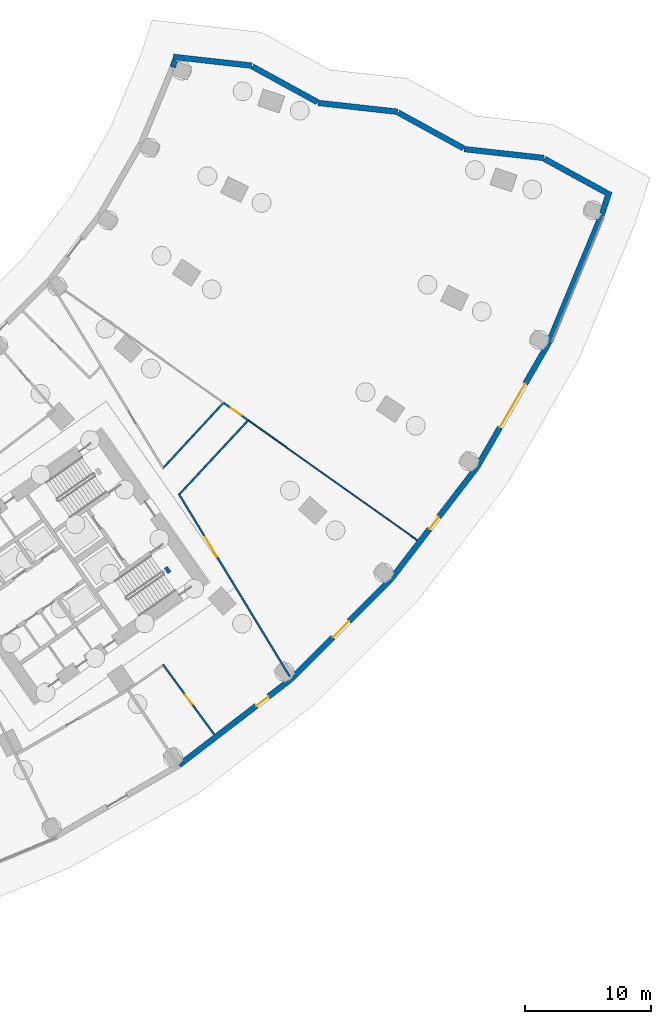
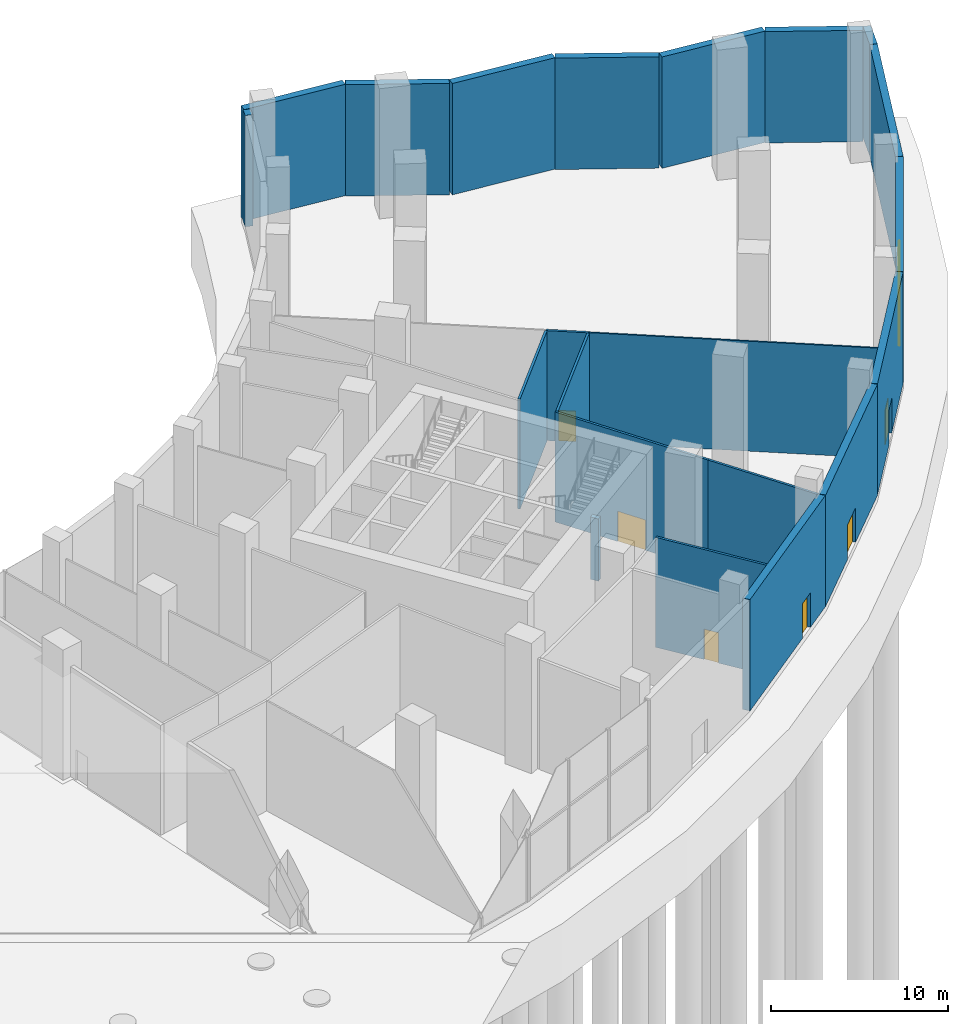
# One storey, part 12 of 23: 21 walls, 7 doors, 7 openings.
"""IFC4 building model written with IfcOpenShell, lengths in metres."""

from ifc_helpers import new_model, si_unit, direction, frame, frame_2d, origin, place, context, subcontext, project, spatial, rectangle, extrude, material, layer, layer_set, type_object, element, fill, save


model = new_model("IFC4")

# Units and contexts
model_context = context("Model", 3, precision=1e-05, world=origin(), true_north=direction((0.0, 1.0)))
body_context = subcontext(model_context, "Body", "Model", "MODEL_VIEW")
ifc_project = project(units=[si_unit("LENGTHUNIT", "METRE"), si_unit("AREAUNIT", "SQUARE_METRE"), si_unit("VOLUMEUNIT", "CUBIC_METRE"), si_unit("PLANEANGLEUNIT", "RADIAN"), si_unit("MASSUNIT", "GRAM", prefix="KILO")], contexts=[model_context])

# Site, building, storey
site_placement = place(None, origin())
site = spatial("IfcSite", under=ifc_project, at=site_placement, CompositionType="ELEMENT")
building_placement = place(site_placement, origin())
building = spatial("IfcBuilding", under=site, at=building_placement, Name="Qamariyya Broadcast Tower", CompositionType="ELEMENT")
storey_placement = place(building_placement, origin())
storey = spatial("IfcBuildingStorey", under=building, at=storey_placement, Name="L00", CompositionType="ELEMENT", Elevation=0.0)

# Wall
ifc_material_1 = material(Name="Gypsum board partition")
ifc_layer_1 = layer(ifc_material_1, 0.14990234375)
ifc_layer_set_1 = layer_set([ifc_layer_1], Name="Corridor partition 150 EI 60")
wall_type_1 = type_object("IfcWallType", Name="Corridor partition 150 EI 60", PredefinedType="PARTITIONING", material=ifc_layer_set_1)
wall_1_placement = place(storey_placement, frame((46.620361328125, -47.8359375, 0.0), z_axis=(0.0, 0.0, 1.0), x_axis=(0.679053871457, 0.734088441306, 0.0)))
element("IfcWall", 1, at=wall_1_placement, inside=storey, type_object=wall_type_1, Name="Partition L00-056", PredefinedType="PARTITIONING", context=body_context, shape_type="SweptSolid", body=[
    extrude(rectangle(XDim=6.916015625, YDim=0.14990234375, at=frame_2d((3.4580078125, 0.0))), origin(), (0.0, 0.0, 1.0), 7.60009765625),
])

# Wall, opening, door
wall_2_placement = place(storey_placement, frame((47.8076171875, -49.929443359375, 0.0), z_axis=(0.0, 0.0, 1.0), x_axis=(0.51915296508, -0.854681343454, 0.0)))
wall_2 = element("IfcWall", 2, at=wall_2_placement, inside=storey, type_object=wall_type_1, Name="Partition L00-057", PredefinedType="PARTITIONING", context=body_context, shape_type="SweptSolid", body=[
    extrude(rectangle(XDim=9.874755859375, YDim=0.14990234375, at=frame_2d((4.9375, 0.0))), origin(), (0.0, 0.0, 1.0), 7.60009765625),
])
opening_1_placement = place(wall_2_placement, frame((4.037353515625, 0.0, 0.0)))
opening_1 = element("IfcOpeningElement", 3, at=opening_1_placement, cuts=wall_2, Name="Opening L00-D22", PredefinedType="OPENING", context=body_context, shape_type="SweptSolid", body=[
    extrude(rectangle(XDim=1.800048828125, YDim=2.10009765625, at=frame_2d((0.89990234375, 1.050048828125))), frame((0.0, 0.0849609375, 0.0), z_axis=(0.0, -1.0, 0.0), x_axis=(1.0, 0.0, 0.0)), (0.0, 0.0, 1.0), 0.169921875),
])
ifc_material_2 = material(Name="Timber fire door leaf", Category="wood")
door_type_1 = type_object("IfcDoorType", Name="Double fire door 1800 x 2100 FD60", OperationType="NOTDEFINED", PredefinedType="DOOR", material=ifc_material_2)
door_1_placement = place(opening_1_placement, origin())
door_1 = element("IfcDoor", 4, at=door_1_placement, inside=storey, type_object=door_type_1, Name="Door L00-D22", OperationType="DOUBLE_DOOR_SINGLE_SWING", OverallHeight=2.10009765625, OverallWidth=1.800048828125, PredefinedType="DOOR", context=body_context, shape_type="SweptSolid", body=[
    extrude(rectangle(XDim=1.800048828125, YDim=2.10009765625, at=frame_2d((0.89990234375, 1.050048828125))), frame((0.0, 0.02490234375, 0.0), z_axis=(0.0, -1.0, 0.0), x_axis=(1.0, 0.0, 0.0)), (0.0, 0.0, 1.0), 0.050048828125),
])
fill(opening_1, door_1)

# Wall
wall_3_placement = place(storey_placement, frame((47.897705078125, -49.9384765625, 0.0), z_axis=(0.0, 0.0, 1.0), x_axis=(0.681001874973, 0.73228167141, 0.0)))
element("IfcWall", 5, at=wall_3_placement, inside=storey, type_object=wall_type_1, Name="Partition L00-058", PredefinedType="PARTITIONING", context=body_context, shape_type="SweptSolid", body=[
    extrude(rectangle(XDim=7.903076171875, YDim=0.14990234375, at=frame_2d((3.95166015625, 0.0))), origin(), (0.0, 0.0, 1.0), 7.60009765625),
])

# Wall, opening, door
wall_4_placement = place(storey_placement, frame((50.635498046875, -69.06201171875, 0.0), z_axis=(0.0, 0.0, 1.0), x_axis=(-0.591288618584, 0.806460023518, 0.0)))
wall_4 = element("IfcWall", 6, at=wall_4_placement, inside=storey, type_object=wall_type_1, Name="Partition L00-060", PredefinedType="PARTITIONING", context=body_context, shape_type="SweptSolid", body=[
    extrude(rectangle(XDim=6.9111328125, YDim=0.14990234375, at=frame_2d((3.45556640625, 0.0))), origin(), (0.0, 0.0, 1.0), 7.60009765625),
])
opening_2_placement = place(wall_4_placement, frame((3.00537109375, 0.0, 0.0)))
opening_2 = element("IfcOpeningElement", 7, at=opening_2_placement, cuts=wall_4, Name="Opening L00-D20", PredefinedType="OPENING", context=body_context, shape_type="SweptSolid", body=[
    extrude(rectangle(XDim=0.89990234375, YDim=2.10009765625, at=frame_2d((0.449951171875, 1.050048828125))), frame((0.0, 0.0849609375, 0.0), z_axis=(0.0, -1.0, 0.0), x_axis=(1.0, 0.0, 0.0)), (0.0, 0.0, 1.0), 0.169921875),
])
door_type_2 = type_object("IfcDoorType", Name="Fire door 900 x 2100 FD60", OperationType="NOTDEFINED", PredefinedType="DOOR", material=ifc_material_2)
door_2_placement = place(opening_2_placement, origin())
door_2 = element("IfcDoor", 8, at=door_2_placement, inside=storey, type_object=door_type_2, Name="Door L00-D20", OperationType="SINGLE_SWING_RIGHT", OverallHeight=2.10009765625, OverallWidth=0.89990234375, PredefinedType="DOOR", context=body_context, shape_type="SweptSolid", body=[
    extrude(rectangle(XDim=0.89990234375, YDim=2.10009765625, at=frame_2d((0.449951171875, 1.050048828125))), frame((0.0, 0.02490234375, 0.0), z_axis=(0.0, -1.0, 0.0), x_axis=(1.0, 0.0, 0.0)), (0.0, 0.0, 1.0), 0.050048828125),
])
fill(opening_2, door_2)

# Wall
wall_5_placement = place(storey_placement, frame((52.937255859375, -58.374267578125, 0.0), z_axis=(0.0, 0.0, 1.0), x_axis=(0.519165960752, -0.854673449451, 0.0)))
element("IfcWall", 9, at=wall_5_placement, inside=storey, type_object=wall_type_1, Name="Partition L00-062", PredefinedType="PARTITIONING", context=body_context, shape_type="SweptSolid", body=[
    extrude(rectangle(XDim=7.12255859375, YDim=0.14990234375, at=frame_2d((3.561279296875, 0.0))), origin(), (0.0, 0.0, 1.0), 7.60009765625),
])

# Wall, opening, door
wall_6_placement = place(storey_placement, frame((51.367431640625, -42.703857421875, 0.0), z_axis=(0.0, 0.0, 1.0), x_axis=(0.815709395679, -0.578461910415, 0.0)))
wall_6 = element("IfcWall", 10, at=wall_6_placement, inside=storey, type_object=wall_type_1, Name="Partition L00-063", PredefinedType="PARTITIONING", context=body_context, shape_type="SweptSolid", body=[
    extrude(rectangle(XDim=2.406982421875, YDim=0.14990234375, at=frame_2d((1.20361328125, 0.0))), origin(), (0.0, 0.0, 1.0), 7.60009765625),
])
opening_3_placement = place(wall_6_placement, frame((0.703369140625, 0.0, 0.0)))
opening_3 = element("IfcOpeningElement", 11, at=opening_3_placement, cuts=wall_6, Name="Opening L00-D23", PredefinedType="OPENING", context=body_context, shape_type="SweptSolid", body=[
    extrude(rectangle(XDim=1.0, YDim=2.10009765625, at=frame_2d((0.5, 1.050048828125))), frame((0.0, 0.0849609375, 0.0), z_axis=(0.0, -1.0, 0.0), x_axis=(1.0, 0.0, 0.0)), (0.0, 0.0, 1.0), 0.169921875),
])
door_type_3 = type_object("IfcDoorType", Name="Fire door 1000 x 2100 FD60", OperationType="NOTDEFINED", PredefinedType="DOOR", material=ifc_material_2)
door_3_placement = place(opening_3_placement, origin())
door_3 = element("IfcDoor", 12, at=door_3_placement, inside=storey, type_object=door_type_3, Name="Door L00-D23", OperationType="SINGLE_SWING_RIGHT", OverallHeight=2.10009765625, OverallWidth=1.0, PredefinedType="DOOR", context=body_context, shape_type="SweptSolid", body=[
    extrude(rectangle(XDim=1.0, YDim=2.10009765625, at=frame_2d((0.5, 1.050048828125))), frame((0.0, 0.02490234375, 0.0), z_axis=(0.0, -1.0, 0.0), x_axis=(1.0, 0.0, 0.0)), (0.0, 0.0, 1.0), 0.050048828125),
])
fill(opening_3, door_3)

# Walls
ifc_material_3 = material(Name="Concrete C60/75", Category="concrete")
ifc_layer_2 = layer(ifc_material_3, 0.300048828125)
ifc_layer_set_2 = layer_set([ifc_layer_2], Name="Lift shaft wall 300 mm Concrete C60/75")
wall_type_2 = type_object("IfcWallType", Name="Lift shaft wall 300 mm Concrete C60/75", PredefinedType="SOLIDWALL", material=ifc_layer_set_2)
wall_7_placement = place(storey_placement, frame((46.77783203125, -55.782470703125, 0.0), z_axis=(0.0, 0.0, 1.0), x_axis=(0.573822822947, -0.818979467304, 0.0)))
element("IfcWall", 13, at=wall_7_placement, inside=storey, type_object=wall_type_2, Name="k-E-L00-E1PR", PredefinedType="SOLIDWALL", context=body_context, shape_type="SweptSolid", body=[
    extrude(rectangle(XDim=0.5, YDim=0.300048828125, at=frame_2d((0.25, 0.0))), origin(), (0.0, 0.0, 1.0), 4.300048828125),
])
ifc_layer_3 = layer(ifc_material_1, 0.10009765625)
ifc_layer_set_3 = layer_set([ifc_layer_3], Name="Partition 100")
wall_type_3 = type_object("IfcWallType", Name="Partition 100", PredefinedType="PARTITIONING", material=ifc_layer_set_3)
wall_8_placement = place(storey_placement, frame((66.7685546875, -53.624755859375, 0.0), z_axis=(0.0, 0.0, 1.0), x_axis=(-0.815733399652, 0.578428060083, 0.0)))
element("IfcWall", 14, at=wall_8_placement, inside=storey, type_object=wall_type_3, Name="Partition L00-064", PredefinedType="PARTITIONING", context=body_context, shape_type="SweptSolid", body=[
    extrude(rectangle(XDim=16.47314453125, YDim=0.10009765625, at=frame_2d((8.236572265625, 0.0))), origin(), (0.0, 0.0, 1.0), 7.60009765625),
])
ifc_material_4 = material(Name="Precast concrete C40/50 with terracotta facing", Category="masonry")
ifc_layer_4 = layer(ifc_material_4, 0.449951171875)
ifc_layer_set_4 = layer_set([ifc_layer_4], Name="Precast concrete C40/50 wall 450, terracotta faced")
wall_type_4 = type_object("IfcWallType", Name="Precast concrete C40/50 wall 450, terracotta faced", PredefinedType="SOLIDWALL", material=ifc_layer_set_4)
wall_9_placement = place(storey_placement, frame((81.734130859375, -25.98974609375, 0.0), z_axis=(0.0, 0.0, 1.0), x_axis=(-0.877209140108, 0.480108450781, 0.0)))
element("IfcWall", 15, at=wall_9_placement, inside=storey, type_object=wall_type_4, Name="e-wl-L00-capE0", PredefinedType="SOLIDWALL", context=body_context, shape_type="SweptSolid", body=[
    extrude(rectangle(XDim=5.552978515625, YDim=0.449951171875, at=frame_2d((2.7763671875, 0.0))), origin(), (0.0, 0.0, 1.0), 7.699951171875),
])
wall_10_placement = place(storey_placement, frame((76.803955078125, -23.254638671875, 0.0), z_axis=(0.0, 0.0, 1.0), x_axis=(-0.993813805196, 0.111059086081, 0.0)))
element("IfcWall", 16, at=wall_10_placement, inside=storey, type_object=wall_type_4, Name="e-wl-L00-capE1", PredefinedType="SOLIDWALL", context=body_context, shape_type="SweptSolid", body=[
    extrude(rectangle(XDim=6.36181640625, YDim=0.449951171875, at=frame_2d((3.180908203125, 0.0))), origin(), (0.0, 0.0, 1.0), 7.699951171875),
])
wall_11_placement = place(storey_placement, frame((70.42236328125, -22.47900390625, 0.0), z_axis=(0.0, 0.0, 1.0), x_axis=(-0.877230259454, 0.480069861477, 0.0)))
element("IfcWall", 17, at=wall_11_placement, inside=storey, type_object=wall_type_4, Name="e-wl-L00-capE2", PredefinedType="SOLIDWALL", context=body_context, shape_type="SweptSolid", body=[
    extrude(rectangle(XDim=5.883544921875, YDim=0.449951171875, at=frame_2d((2.94189453125, 0.0))), origin(), (0.0, 0.0, 1.0), 7.699951171875),
])
wall_12_placement = place(storey_placement, frame((65.201904296875, -19.58544921875, 0.0), z_axis=(0.0, 0.0, 1.0), x_axis=(-0.993818963433, 0.111012917816, 0.0)))
element("IfcWall", 18, at=wall_12_placement, inside=storey, type_object=wall_type_4, Name="e-wl-L00-capE3", PredefinedType="SOLIDWALL", context=body_context, shape_type="SweptSolid", body=[
    extrude(rectangle(XDim=6.360107421875, YDim=0.449951171875, at=frame_2d((3.18017578125, 0.0))), origin(), (0.0, 0.0, 1.0), 7.699951171875),
])
wall_13_placement = place(storey_placement, frame((58.822021484375, -18.810302734375, 0.0), z_axis=(0.0, 0.0, 1.0), x_axis=(-0.87728135657, 0.479976480064, 0.0)))
element("IfcWall", 19, at=wall_13_placement, inside=storey, type_object=wall_type_4, Name="e-wl-L00-capE4", PredefinedType="SOLIDWALL", context=body_context, shape_type="SweptSolid", body=[
    extrude(rectangle(XDim=5.885498046875, YDim=0.449951171875, at=frame_2d((2.94287109375, 0.0))), origin(), (0.0, 0.0, 1.0), 7.699951171875),
])
wall_14_placement = place(storey_placement, frame((53.599365234375, -15.916015625, 0.0), z_axis=(0.0, 0.0, 1.0), x_axis=(-0.993827533543, 0.110936168908, 0.0)))
element("IfcWall", 20, at=wall_14_placement, inside=storey, type_object=wall_type_4, Name="e-wl-L00-capE5", PredefinedType="SOLIDWALL", context=body_context, shape_type="SweptSolid", body=[
    extrude(rectangle(XDim=6.265380859375, YDim=0.449951171875, at=frame_2d((3.1328125, 0.0))), origin(), (0.0, 0.0, 1.0), 7.699951171875),
])
wall_15_placement = place(storey_placement, frame((47.508544921875, -15.497314453125, 0.0), z_axis=(0.0, 0.0, 1.0), x_axis=(-0.311474670585, -0.950254455177, 0.0)))
element("IfcWall", 21, at=wall_15_placement, inside=storey, type_object=wall_type_4, Name="e-wl-L00-in200", PredefinedType="SOLIDWALL", context=body_context, shape_type="SweptSolid", body=[
    extrude(rectangle(XDim=0.570556640625, YDim=0.449951171875, at=frame_2d((0.28515625, 0.0))), origin(), (0.0, 0.0, 1.0), 7.699951171875),
])

# Wall, opening, door
wall_16_placement = place(storey_placement, frame((47.83935546875, -71.490966796875, 0.0), z_axis=(0.0, 0.0, 1.0), x_axis=(0.793355377778, 0.608758773695, 0.0)))
wall_16 = element("IfcWall", 22, at=wall_16_placement, inside=storey, type_object=wall_type_4, Name="e-wl-L00-out150", PredefinedType="SOLIDWALL", context=body_context, shape_type="SweptSolid", body=[
    extrude(rectangle(XDim=11.134765625, YDim=0.449951171875, at=frame_2d((5.5673828125, 0.0))), origin(), (0.0, 0.0, 1.0), 7.699951171875),
])
opening_4_placement = place(wall_16_placement, frame((8.9384765625, 0.0, 0.0), z_axis=(0.0, 0.0, 1.0), x_axis=(-1.0, 0.0, 0.0)))
opening_4 = element("IfcOpeningElement", 23, at=opening_4_placement, cuts=wall_16, Name="Opening ED4", PredefinedType="OPENING", context=body_context, shape_type="SweptSolid", body=[
    extrude(rectangle(XDim=1.199951171875, YDim=2.39990234375, at=frame_2d((0.60009765625, 1.199951171875))), frame((0.0, 0.23486328125, 0.0), z_axis=(0.0, -1.0, 0.0), x_axis=(1.0, 0.0, 0.0)), (0.0, 0.0, 1.0), 0.469970703125),
])
ifc_material_5 = material(Name="Toughened glass in stainless steel frame", Category="steel")
door_type_4 = type_object("IfcDoorType", Name="Stair discharge door 1200 x 2400", OperationType="SINGLE_SWING_LEFT", PredefinedType="DOOR", material=ifc_material_5)
door_4_placement = place(opening_4_placement, origin())
door_4 = element("IfcDoor", 24, at=door_4_placement, inside=storey, type_object=door_type_4, Name="e-ed-L00-exit-k-E-L00-WO-D20", OperationType="SINGLE_SWING_LEFT", OverallHeight=2.39990234375, OverallWidth=1.199951171875, PredefinedType="DOOR", context=body_context, shape_type="SweptSolid", body=[
    extrude(rectangle(XDim=1.199951171875, YDim=2.39990234375, at=frame_2d((0.60009765625, 1.199951171875))), frame((0.0, 0.02490234375, 0.0), z_axis=(0.0, -1.0, 0.0), x_axis=(1.0, 0.0, 0.0)), (0.0, 0.0, 1.0), 0.050048828125),
])
fill(opening_4, door_4)

wall_17_placement = place(storey_placement, frame((56.69873046875, -64.69775390625, 0.0), z_axis=(0.0, 0.0, 1.0), x_axis=(0.707106781187, 0.707106781187, 0.0)))
wall_17 = element("IfcWall", 25, at=wall_17_placement, inside=storey, type_object=wall_type_4, Name="e-wl-L00-out160", PredefinedType="SOLIDWALL", context=body_context, shape_type="SweptSolid", body=[
    extrude(rectangle(XDim=11.312255859375, YDim=0.449951171875, at=frame_2d((5.65625, 0.0))), origin(), (0.0, 0.0, 1.0), 7.699951171875),
])
opening_5_placement = place(wall_17_placement, frame((4.75634765625, 0.0, 0.0)))
opening_5 = element("IfcOpeningElement", 26, at=opening_5_placement, cuts=wall_17, Name="Opening ED8", PredefinedType="OPENING", context=body_context, shape_type="SweptSolid", body=[
    extrude(rectangle(XDim=1.800048828125, YDim=2.39990234375, at=frame_2d((0.89990234375, 1.199951171875))), frame((0.0, 0.23486328125, 0.0), z_axis=(0.0, -1.0, 0.0), x_axis=(1.0, 0.0, 0.0)), (0.0, 0.0, 1.0), 0.469970703125),
])
door_type_5 = type_object("IfcDoorType", Name="Street exit door 1800 x 2400", OperationType="DOUBLE_DOOR_DOUBLE_SWING", PredefinedType="DOOR", material=ifc_material_5)
door_5_placement = place(opening_5_placement, origin())
door_5 = element("IfcDoor", 27, at=door_5_placement, inside=storey, type_object=door_type_5, Name="e-ed-L00-exit04-out16", OperationType="DOUBLE_DOOR_DOUBLE_SWING", OverallHeight=2.39990234375, OverallWidth=1.800048828125, PredefinedType="DOOR", context=body_context, shape_type="SweptSolid", body=[
    extrude(rectangle(XDim=1.800048828125, YDim=2.39990234375, at=frame_2d((0.89990234375, 1.199951171875))), frame((0.0, 0.02490234375, 0.0), z_axis=(0.0, -1.0, 0.0), x_axis=(1.0, 0.0, 0.0)), (0.0, 0.0, 1.0), 0.050048828125),
])
fill(opening_5, door_5)

wall_18_placement = place(storey_placement, frame((64.712646484375, -56.673095703125, 0.0), z_axis=(0.0, 0.0, 1.0), x_axis=(0.608758773695, 0.793355377778, 0.0)))
wall_18 = element("IfcWall", 28, at=wall_18_placement, inside=storey, type_object=wall_type_4, Name="e-wl-L00-out170", PredefinedType="SOLIDWALL", context=body_context, shape_type="SweptSolid", body=[
    extrude(rectangle(XDim=11.134765625, YDim=0.449951171875, at=frame_2d((5.5673828125, 0.0))), origin(), (0.0, 0.0, 1.0), 7.699951171875),
])
opening_6_placement = place(wall_18_placement, frame((4.96728515625, 0.0, 0.0)))
opening_6 = element("IfcOpeningElement", 29, at=opening_6_placement, cuts=wall_18, Name="Opening ED2", PredefinedType="OPENING", context=body_context, shape_type="SweptSolid", body=[
    extrude(rectangle(XDim=1.199951171875, YDim=2.39990234375, at=frame_2d((0.60009765625, 1.199951171875))), frame((0.0, 0.23486328125, 0.0), z_axis=(0.0, -1.0, 0.0), x_axis=(1.0, 0.0, 0.0)), (0.0, 0.0, 1.0), 0.469970703125),
])
door_type_6 = type_object("IfcDoorType", Name="Service door 1200 x 2400", OperationType="SINGLE_SWING_LEFT", PredefinedType="DOOR", material=ifc_material_5)
door_6_placement = place(opening_6_placement, origin())
door_6 = element("IfcDoor", 30, at=door_6_placement, inside=storey, type_object=door_type_6, Name="e-ed-L00-svcE", OperationType="SINGLE_SWING_LEFT", OverallHeight=2.39990234375, OverallWidth=1.199951171875, PredefinedType="DOOR", context=body_context, shape_type="SweptSolid", body=[
    extrude(rectangle(XDim=1.199951171875, YDim=2.39990234375, at=frame_2d((0.60009765625, 1.199951171875))), frame((0.0, 0.02490234375, 0.0), z_axis=(0.0, -1.0, 0.0), x_axis=(1.0, 0.0, 0.0)), (0.0, 0.0, 1.0), 0.050048828125),
])
fill(opening_6, door_6)

wall_19_placement = place(storey_placement, frame((71.51171875, -47.818603515625, 0.0), z_axis=(0.0, 0.0, 1.0), x_axis=(0.500001430823, 0.866024577697, 0.0)))
wall_19 = element("IfcWall", 31, at=wall_19_placement, inside=storey, type_object=wall_type_4, Name="e-wl-L00-out180", PredefinedType="SOLIDWALL", context=body_context, shape_type="SweptSolid", body=[
    extrude(rectangle(XDim=11.3125, YDim=0.449951171875, at=frame_2d((5.65625, 0.0))), origin(), (0.0, 0.0, 1.0), 7.699951171875),
])
opening_7_placement = place(wall_19_placement, frame((3.65625, 0.0, 0.0)))
opening_7 = element("IfcOpeningElement", 32, at=opening_7_placement, cuts=wall_19, Name="Opening ED3", PredefinedType="OPENING", context=body_context, shape_type="SweptSolid", body=[
    extrude(rectangle(XDim=4.0, YDim=4.5, at=frame_2d((2.0, 2.25))), frame((0.0, 0.23486328125, 0.0), z_axis=(0.0, -1.0, 0.0), x_axis=(1.0, 0.0, 0.0)), (0.0, 0.0, 1.0), 0.469970703125),
])
door_type_7 = type_object("IfcDoorType", Name="Loading bay roller door 4000 x 4500", OperationType="ROLLINGUP", PredefinedType="DOOR", material=ifc_material_5)
door_7_placement = place(opening_7_placement, origin())
door_7 = element("IfcDoor", 33, at=door_7_placement, inside=storey, type_object=door_type_7, Name="e-ed-L00-loadE", OperationType="ROLLINGUP", OverallHeight=4.5, OverallWidth=4.0, PredefinedType="DOOR", context=body_context, shape_type="SweptSolid", body=[
    extrude(rectangle(XDim=4.0, YDim=4.5, at=frame_2d((2.0, 2.25))), frame((0.0, 0.02490234375, 0.0), z_axis=(0.0, -1.0, 0.0), x_axis=(1.0, 0.0, 0.0)), (0.0, 0.0, 1.0), 0.050048828125),
])
fill(opening_7, door_7)

# Walls
wall_20_placement = place(storey_placement, frame((77.175537109375, -37.9931640625, 0.0), z_axis=(0.0, 0.0, 1.0), x_axis=(0.382700611107, 0.923872416656, 0.0)))
element("IfcWall", 34, at=wall_20_placement, inside=storey, type_object=wall_type_4, Name="e-wl-L00-out190", PredefinedType="SOLIDWALL", context=body_context, shape_type="SweptSolid", body=[
    extrude(rectangle(XDim=11.167724609375, YDim=0.449951171875, at=frame_2d((5.583984375, 0.0))), origin(), (0.0, 0.0, 1.0), 7.699951171875),
])
wall_21_placement = place(storey_placement, frame((81.456787109375, -27.66015625, 0.0), z_axis=(0.0, 0.0, 1.0), x_axis=(0.311621150825, 0.95020642934, 0.0)))
element("IfcWall", 35, at=wall_21_placement, inside=storey, type_object=wall_type_4, Name="e-wl-L00-out200", PredefinedType="SOLIDWALL", context=body_context, shape_type="SweptSolid", body=[
    extrude(rectangle(XDim=1.845703125, YDim=0.449951171875, at=frame_2d((0.9228515625, 0.0))), origin(), (0.0, 0.0, 1.0), 7.699951171875),
])

save(model, "model.ifc")
